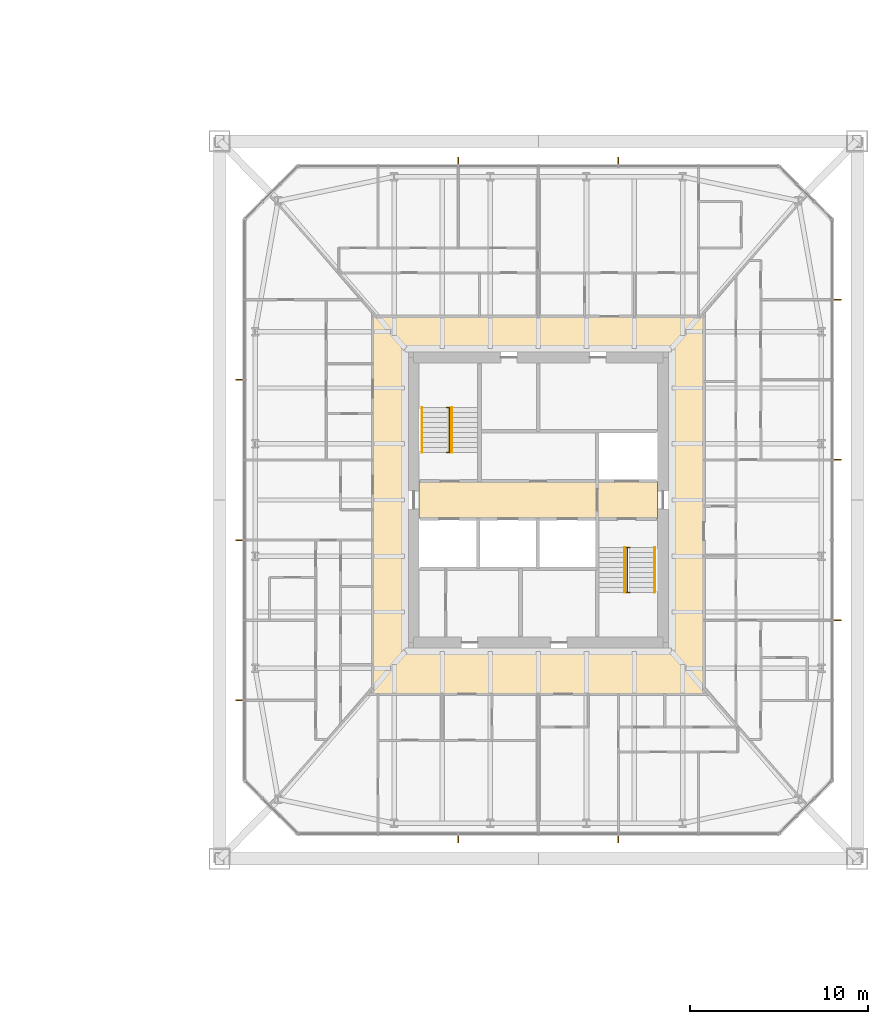
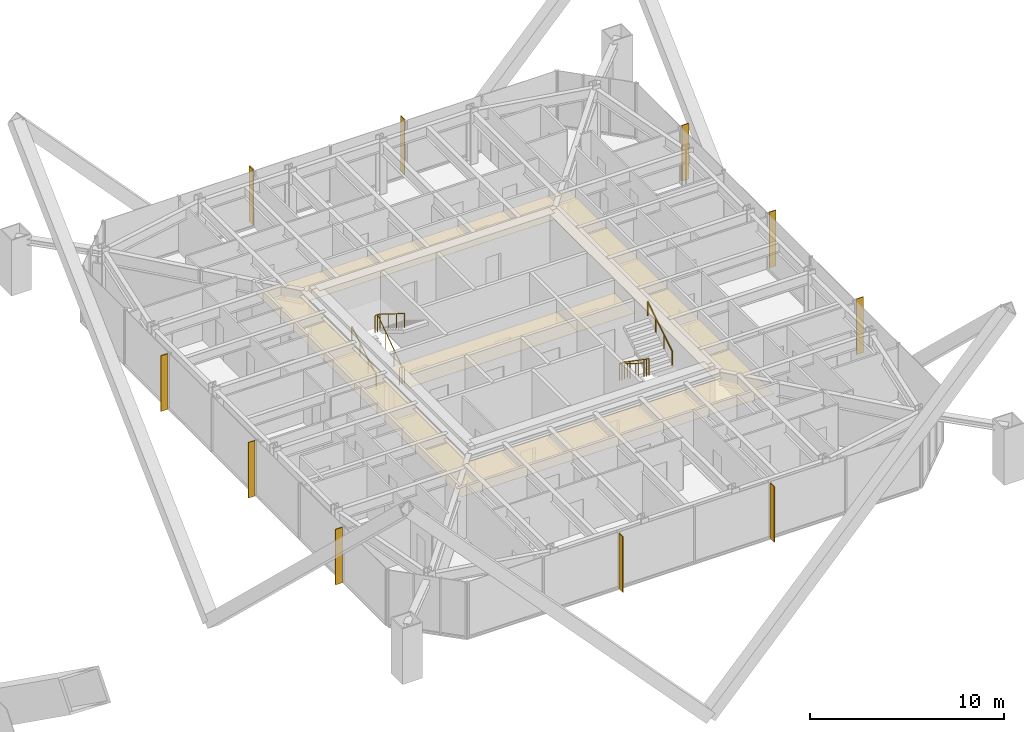
# One storey, part 28 of 28: 10 shading devices, 6 railings, 3 coverings.
"""IFC4 building model written with IfcOpenShell, lengths in metres."""

from ifc_helpers import new_model, si_unit, direction, frame, origin, origin_2d, place, context, subcontext, project, spatial, polyline, rectangle, circle, outline, extrude, material, layer, layer_set, constituent, constituent_set, type_object, element, save


model = new_model("IFC4")

# Units and contexts
model_context = context("Model", 3, precision=1e-05, world=origin(), true_north=direction((0.0, 1.0)))
body_context = subcontext(model_context, "Body", "Model", "MODEL_VIEW")
ifc_project = project(units=[si_unit("LENGTHUNIT", "METRE"), si_unit("AREAUNIT", "SQUARE_METRE"), si_unit("VOLUMEUNIT", "CUBIC_METRE"), si_unit("PLANEANGLEUNIT", "RADIAN"), si_unit("MASSUNIT", "GRAM", prefix="KILO")], contexts=[model_context])

# Site, building, storey
site_placement = place(None, origin())
site = spatial("IfcSite", under=ifc_project, at=site_placement, CompositionType="ELEMENT")
building_placement = place(site_placement, origin())
building = spatial("IfcBuilding", under=site, at=building_placement, Name="Iwan Alto Co-Living Towers", CompositionType="ELEMENT")
storey_placement = place(building_placement, frame((0.0, 0.0, 64.0)))
storey = spatial("IfcBuildingStorey", under=building, at=storey_placement, Name="L17", CompositionType="ELEMENT", Elevation=64.0)

# Coverings
ifc_material_1 = material(Name="Mineral fibre acoustic tiles on steel grid", Category="steel")
ifc_layer_1 = layer(ifc_material_1, 0.02001953125)
ifc_layer_set_1 = layer_set([ifc_layer_1], Name="ACOUSTIC TILE CEILING 20")
covering_type_1 = type_object("IfcCoveringType", Name="ACOUSTIC TILE CEILING 20", PredefinedType="CEILING", material=ifc_layer_set_1)
covering_1_placement = place(storey_placement, frame((0.0, 0.0, 2.60009765625)))
element("IfcCovering", 1, at=covering_1_placement, inside=storey, type_object=covering_type_1, Name="Ceiling Lift lobby L17", PredefinedType="CEILING", context=body_context, shape_type="SweptSolid", body=[
    extrude(outline(polyline([(56.300048828125, -1.050048828125), (56.300048828125, 1.050048828125), (66.300048828125, 1.050048828125), (66.300048828125, -1.050048828125), (56.300048828125, -1.050048828125)])), origin(), (0.0, 0.0, 1.0), 0.02001953125),
])
covering_2_placement = place(storey_placement, frame((0.0, 0.0, 2.60009765625)))
element("IfcCovering", 2, at=covering_2_placement, inside=storey, type_object=covering_type_1, Name="Ceiling Firefighting lobby L17", PredefinedType="CEILING", context=body_context, shape_type="SweptSolid", body=[
    extrude(outline(polyline([(66.300048828125, -1.050048828125), (66.300048828125, 1.050048828125), (69.699951171875, 1.050048828125), (69.699951171875, -1.050048828125), (66.300048828125, -1.050048828125)])), origin(), (0.0, 0.0, 1.0), 0.02001953125),
])

# Shading devices
ifc_material_2 = material(Name="Aluminium 6063-T6 bronze anodised", Category="aluminium")
ifc_layer_2 = layer(ifc_material_2, 0.050048828125)
ifc_layer_set_2 = layer_set([ifc_layer_2], Name="BRONZE FIN 50X400")
shading_device_type = type_object("IfcShadingDeviceType", Name="BRONZE FIN 50X400", PredefinedType="USERDEFINED", material=ifc_layer_set_2)
for number, where, z_axis, x_axis, name in (
    (3, (58.5, -19.050048828125, 0.0), (0.0, 0.0, 1.0), (1.0, 0.0, 0.0), "Bronze fin L17"),
    (4, (67.5, -19.050048828125, 0.0), (0.0, 0.0, 1.0), (1.0, 0.0, 0.0), "Bronze fin L17"),
    (5, (79.800048828125, -6.75, 0.0), (0.0, 0.0, 1.0), (0.0, 1.0, 0.0), "Bronze fin L17"),
    (6, (79.800048828125, 2.25, 0.0), (0.0, 0.0, 1.0), (0.0, 1.0, 0.0), "Bronze fin L17"),
    (7, (79.800048828125, 11.25, 0.0), (0.0, 0.0, 1.0), (0.0, 1.0, 0.0), "Bronze fin L17"),
    (8, (67.5, 19.050048828125, 0.0), (0.0, 0.0, 1.0), (-1.0, 0.0, 0.0), "Bronze fin L17"),
    (9, (58.5, 19.050048828125, 0.0), (0.0, 0.0, 1.0), (-1.0, 0.0, 0.0), "Bronze fin L17"),
    (10, (46.199951171875, 6.75, 0.0), (0.0, 0.0, 1.0), (0.0, -1.0, 0.0), "Bronze fin L17"),
    (11, (46.199951171875, -2.25, 0.0), (0.0, 0.0, 1.0), (0.0, -1.0, 0.0), "Bronze fin L17"),
    (12, (46.199951171875, -11.25, 0.0), (0.0, 0.0, 1.0), (0.0, -1.0, 0.0), "Bronze fin L17"),
):
    element("IfcShadingDevice", number, at=place(storey_placement, frame(where, z_axis=z_axis, x_axis=x_axis)), inside=storey, type_object=shading_device_type, Name=name, ObjectType="LOUVER", PredefinedType="USERDEFINED", context=body_context, shape_type="SweptSolid", body=[
        extrude(rectangle(XDim=0.050048828125, YDim=0.39990234375, at=origin_2d()), origin(), (0.0, 0.0, 1.0), 3.5),
    ])

# Railings
ifc_material_3 = material(Name="Steel ASTM A500 Gr C", Category="steel")
ifc_constituent_1 = constituent(ifc_material_3, Name="Rails and posts", Category="Framing")
ifc_material_4 = material(Name="Steel ASTM A36", Category="steel")
ifc_constituent_2 = constituent(ifc_material_4, Name="Bar infill", Category="Infill")
ifc_constituent_set = constituent_set(constituents=[ifc_constituent_1, ifc_constituent_2], Name="STAIR GUARD 1100")
railing_type_1 = type_object("IfcRailingType", Name="STAIR GUARD 1100", PredefinedType="GUARDRAIL", material=ifc_constituent_set)
railing_1_placement = place(storey_placement, frame((58.0, 2.669921875, 0.0)))
element("IfcRailing", 13, at=railing_1_placement, inside=storey, type_object=railing_type_1, Name="Stair T2-S1 well guard L17", PredefinedType="GUARDRAIL", context=body_context, shape_type="SweptSolid", body=[
    extrude(circle(Radius=0.02392578125, at=origin_2d()), frame((0.0, 0.0, 1.076171875), z_axis=(0.0, 0.821372036852, 0.570392826987), x_axis=(-1.0, 0.0, 0.0)), (0.0, 0.0, 1.0), 3.068115234375),
    extrude(circle(Radius=0.02392578125, at=origin_2d()), frame((-0.14990234375, 0.0, 1.076171875), z_axis=(1.0, 0.0, 0.0), x_axis=(0.0, 1.0, 0.0)), (0.0, 0.0, 1.0), 0.2998046875),
    extrude(circle(Radius=0.02392578125, at=origin_2d()), frame((-0.14990234375, 2.52001953125, 2.826171875), z_axis=(1.0, 0.0, 0.0), x_axis=(0.0, 1.0, 0.0)), (0.0, 0.0, 1.0), 0.2998046875),
    extrude(circle(Radius=0.02099609375, at=origin_2d()), origin(), (0.0, 0.0, 1.0), 1.052001953125),
    extrude(circle(Radius=0.02099609375, at=origin_2d()), frame((0.0, 0.840087890625, 0.583251953125)), (0.0, 0.0, 1.0), 1.052001953125),
    extrude(circle(Radius=0.02099609375, at=origin_2d()), frame((0.0, 1.679931640625, 1.166748046875)), (0.0, 0.0, 1.0), 1.052001953125),
    extrude(circle(Radius=0.02099609375, at=origin_2d()), frame((0.0, 2.52001953125, 1.75)), (0.0, 0.0, 1.0), 1.052001953125),
    extrude(circle(Radius=0.02099609375, at=origin_2d()), frame((-0.14990234375, 0.0, 0.0)), (0.0, 0.0, 1.0), 1.052001953125),
    extrude(circle(Radius=0.02099609375, at=origin_2d()), frame((0.14990234375, 0.0, 0.0)), (0.0, 0.0, 1.0), 1.052001953125),
    extrude(circle(Radius=0.02099609375, at=origin_2d()), frame((-0.14990234375, 2.52001953125, 1.75)), (0.0, 0.0, 1.0), 1.052001953125),
    extrude(circle(Radius=0.02099609375, at=origin_2d()), frame((0.14990234375, 2.52001953125, 1.75)), (0.0, 0.0, 1.0), 1.052001953125),
])
railing_2_placement = place(storey_placement, frame((68.0, -2.669921875, 0.0)))
element("IfcRailing", 14, at=railing_2_placement, inside=storey, type_object=railing_type_1, Name="Stair T2-S2 well guard L17", PredefinedType="GUARDRAIL", context=body_context, shape_type="SweptSolid", body=[
    extrude(circle(Radius=0.02392578125, at=origin_2d()), frame((0.0, 0.0, 1.076171875), z_axis=(0.0, -0.821372036852, 0.570392826987), x_axis=(1.0, 0.0, 0.0)), (0.0, 0.0, 1.0), 3.068115234375),
    extrude(circle(Radius=0.02392578125, at=origin_2d()), frame((-0.14990234375, 0.0, 1.076171875), z_axis=(1.0, 0.0, 0.0), x_axis=(0.0, 1.0, 0.0)), (0.0, 0.0, 1.0), 0.2998046875),
    extrude(circle(Radius=0.02392578125, at=origin_2d()), frame((-0.14990234375, -2.52001953125, 2.826171875), z_axis=(1.0, 0.0, 0.0), x_axis=(0.0, 1.0, 0.0)), (0.0, 0.0, 1.0), 0.2998046875),
    extrude(circle(Radius=0.02099609375, at=origin_2d()), origin(), (0.0, 0.0, 1.0), 1.052001953125),
    extrude(circle(Radius=0.02099609375, at=origin_2d()), frame((0.0, -0.840087890625, 0.583251953125)), (0.0, 0.0, 1.0), 1.052001953125),
    extrude(circle(Radius=0.02099609375, at=origin_2d()), frame((0.0, -1.679931640625, 1.166748046875)), (0.0, 0.0, 1.0), 1.052001953125),
    extrude(circle(Radius=0.02099609375, at=origin_2d()), frame((0.0, -2.52001953125, 1.75)), (0.0, 0.0, 1.0), 1.052001953125),
    extrude(circle(Radius=0.02099609375, at=origin_2d()), frame((-0.14990234375, 0.0, 0.0)), (0.0, 0.0, 1.0), 1.052001953125),
    extrude(circle(Radius=0.02099609375, at=origin_2d()), frame((0.14990234375, 0.0, 0.0)), (0.0, 0.0, 1.0), 1.052001953125),
    extrude(circle(Radius=0.02099609375, at=origin_2d()), frame((-0.14990234375, -2.52001953125, 1.75)), (0.0, 0.0, 1.0), 1.052001953125),
    extrude(circle(Radius=0.02099609375, at=origin_2d()), frame((0.14990234375, -2.52001953125, 1.75)), (0.0, 0.0, 1.0), 1.052001953125),
])
ifc_material_5 = material(Name="Steel ASTM A500 Gr C", Category="steel")
railing_type_2 = type_object("IfcRailingType", Name="STAIR HANDRAIL 900", PredefinedType="HANDRAIL", material=ifc_material_5)
railing_3_placement = place(storey_placement, frame((56.469970703125, 2.669921875, 0.175048828125)))
element("IfcRailing", 15, at=railing_3_placement, inside=storey, type_object=railing_type_2, Name="Stair T2-S1 handrail 1 L17", PredefinedType="HANDRAIL", context=body_context, shape_type="SweptSolid", body=[
    extrude(circle(Radius=0.02392578125, at=origin_2d()), frame((0.0, 0.0, 0.8759765625), z_axis=(0.0, 0.848007534815, 0.529984170421), x_axis=(-1.0, 0.0, 0.0)), (0.0, 0.0, 1.0), 2.9716796875),
    extrude(circle(Radius=0.02099609375, at=origin_2d()), origin(), (0.0, 0.0, 1.0), 0.851806640625),
    extrude(circle(Radius=0.02099609375, at=origin_2d()), frame((0.0, 0.840087890625, 0.52490234375)), (0.0, 0.0, 1.0), 0.851806640625),
    extrude(circle(Radius=0.02099609375, at=origin_2d()), frame((0.0, 1.679931640625, 1.050048828125)), (0.0, 0.0, 1.0), 0.851806640625),
    extrude(circle(Radius=0.02099609375, at=origin_2d()), frame((0.0, 2.52001953125, 1.574951171875)), (0.0, 0.0, 1.0), 0.851806640625),
])
for number, where, name in (
    (16, (58.14990234375, 5.18994140625, 1.925048828125), "Stair T2-S1 handrail 2 L17"),
    (17, (67.85009765625, -2.669921875, 0.175048828125), "Stair T2-S2 handrail 1 L17"),
):
    element("IfcRailing", number, at=place(storey_placement, frame(where)), inside=storey, type_object=railing_type_2, Name=name, PredefinedType="HANDRAIL", context=body_context, shape_type="SweptSolid", body=[
        extrude(circle(Radius=0.02392578125, at=origin_2d()), frame((0.0, 0.0, 0.8759765625), z_axis=(0.0, -0.848007534815, 0.529984170421), x_axis=(1.0, 0.0, 0.0)), (0.0, 0.0, 1.0), 2.9716796875),
        extrude(circle(Radius=0.02099609375, at=origin_2d()), origin(), (0.0, 0.0, 1.0), 0.851806640625),
        extrude(circle(Radius=0.02099609375, at=origin_2d()), frame((0.0, -0.840087890625, 0.52490234375)), (0.0, 0.0, 1.0), 0.851806640625),
        extrude(circle(Radius=0.02099609375, at=origin_2d()), frame((0.0, -1.679931640625, 1.050048828125)), (0.0, 0.0, 1.0), 0.851806640625),
        extrude(circle(Radius=0.02099609375, at=origin_2d()), frame((0.0, -2.52001953125, 1.574951171875)), (0.0, 0.0, 1.0), 0.851806640625),
    ])
railing_4_placement = place(storey_placement, frame((69.530029296875, -5.18994140625, 1.925048828125)))
element("IfcRailing", 18, at=railing_4_placement, inside=storey, type_object=railing_type_2, Name="Stair T2-S2 handrail 2 L17", PredefinedType="HANDRAIL", context=body_context, shape_type="SweptSolid", body=[
    extrude(circle(Radius=0.02392578125, at=origin_2d()), frame((0.0, 0.0, 0.8759765625), z_axis=(0.0, 0.848007534815, 0.529984170421), x_axis=(-1.0, 0.0, 0.0)), (0.0, 0.0, 1.0), 2.9716796875),
    extrude(circle(Radius=0.02099609375, at=origin_2d()), origin(), (0.0, 0.0, 1.0), 0.851806640625),
    extrude(circle(Radius=0.02099609375, at=origin_2d()), frame((0.0, 0.840087890625, 0.52490234375)), (0.0, 0.0, 1.0), 0.851806640625),
    extrude(circle(Radius=0.02099609375, at=origin_2d()), frame((0.0, 1.679931640625, 1.050048828125)), (0.0, 0.0, 1.0), 0.851806640625),
    extrude(circle(Radius=0.02099609375, at=origin_2d()), frame((0.0, 2.52001953125, 1.574951171875)), (0.0, 0.0, 1.0), 0.851806640625),
])

# Covering
ifc_material_6 = material(Name="Gypsum plasterboard on steel grid", Category="steel")
ifc_layer_3 = layer(ifc_material_6, 0.014892578125)
ifc_layer_set_3 = layer_set([ifc_layer_3], Name="SUSPENDED PLASTERBOARD CEILING 15")
covering_type_2 = type_object("IfcCoveringType", Name="SUSPENDED PLASTERBOARD CEILING 15", PredefinedType="CEILING", material=ifc_layer_set_3)
covering_3_placement = place(storey_placement, frame((0.0, 0.0, 2.60009765625)))
element("IfcCovering", 19, at=covering_3_placement, inside=storey, type_object=covering_type_2, Name="Ceiling Corridor L17", PredefinedType="CEILING", context=body_context, shape_type="SweptSolid", body=[
    extrude(outline(polyline([(53.699951171875, 10.300048828125), (72.300048828125, 10.300048828125), (72.300048828125, -10.89990234375), (53.699951171875, -10.89990234375), (53.699951171875, 10.300048828125)]), holes=[polyline([(55.699951171875, 8.300048828125), (55.699951171875, -8.300048828125), (70.300048828125, -8.300048828125), (70.300048828125, 8.300048828125), (55.699951171875, 8.300048828125)])]), origin(), (0.0, 0.0, 1.0), 0.014892578125),
])

save(model, "model.ifc")
